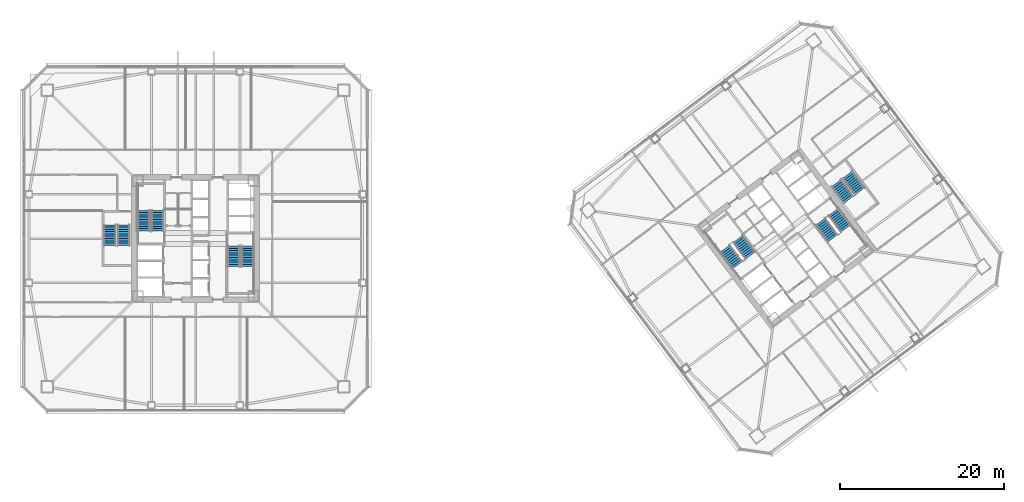
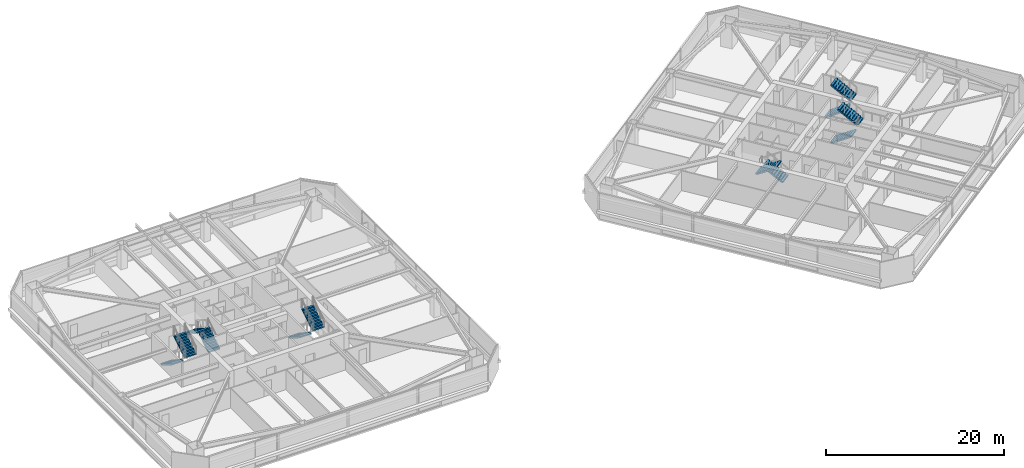
# One storey, part 37 of 44: 12 stair flights, 6 elements without a shape of their own.
"""IFC4 building model written with IfcOpenShell, lengths in metres."""

from ifc_helpers import new_model, si_unit, direction, frame, origin, place, context, subcontext, project, spatial, polyline, outline, extrude, material, type_object, element, aggregate, save


model = new_model("IFC4")

# Units and contexts
model_context = context("Model", 3, precision=1e-05, world=origin(), true_north=direction((0.0, 1.0)))
body_context = subcontext(model_context, "Body", "Model", "MODEL_VIEW")
ifc_project = project(units=[si_unit("LENGTHUNIT", "METRE"), si_unit("AREAUNIT", "SQUARE_METRE"), si_unit("VOLUMEUNIT", "CUBIC_METRE"), si_unit("PLANEANGLEUNIT", "RADIAN"), si_unit("MASSUNIT", "GRAM", prefix="KILO")], contexts=[model_context])

# Site, building, storey
site_placement = place(None, origin())
site = spatial("IfcSite", under=ifc_project, at=site_placement, CompositionType="ELEMENT")
building_placement = place(site_placement, origin())
building = spatial("IfcBuilding", under=site, at=building_placement, Name="Tashvorn Skyway Center", CompositionType="ELEMENT")
storey_placement = place(building_placement, frame((0.0, 0.0, 74.300048828125)))
storey = spatial("IfcBuildingStorey", under=building, at=storey_placement, Name="L19", CompositionType="ELEMENT", Elevation=74.300048828125)

# Stair, stair flights
ifc_material = material(Name="Concrete C40/50", Category="concrete")
stair_type = type_object("IfcStairType", Name="STAIR-CORE-1500", PredefinedType="HALF_TURN_STAIR", material=ifc_material)
stair_1_placement = place(storey_placement, origin())
stair_1 = element("IfcStair", 1, at=stair_1_placement, inside=storey, type_object=stair_type, Name="L19 Tower 1 Exit Stair 1", PredefinedType="HALF_TURN_STAIR")
stair_flight_type = type_object("IfcStairFlightType", Name="SFLIGHT-1500", PredefinedType="STRAIGHT", material=ifc_material)
stair_flight_1_placement = place(storey_placement, frame((37.35009765625, 32.919921875, 0.0), z_axis=(0.0, 0.0, 1.0), x_axis=(0.0, 1.0, 0.0)))
stair_flight_1 = element("IfcStairFlight", 2, at=stair_flight_1_placement, type_object=stair_flight_type, Name="ST-T1-1 flight 1", NumberOfRisers=10, NumberOfTreads=9, PredefinedType="STRAIGHT", RiserHeight=0.1775, TreadLength=0.28, context=body_context, shape_type="SweptSolid", body=[
    extrude(outline(polyline([(0.0, 0.0), (0.0, 0.177490234375), (0.280029296875, 0.177490234375), (0.280029296875, 0.35498046875), (0.56005859375, 0.35498046875), (0.56005859375, 0.532470703125), (0.840087890625, 0.532470703125), (0.840087890625, 0.7099609375), (1.1201171875, 0.7099609375), (1.1201171875, 0.887451171875), (1.39990234375, 0.887451171875), (1.39990234375, 1.06494140625), (1.679931640625, 1.06494140625), (1.679931640625, 1.242431640625), (1.9599609375, 1.242431640625), (1.9599609375, 1.419921875), (2.239990234375, 1.419921875), (2.239990234375, 1.597412109375), (2.52001953125, 1.597412109375), (2.52001953125, 1.77490234375), (2.52001953125, 1.419921875), (0.280029296875, 0.0), (0.0, 0.0)])), frame((0.0, 0.75, 0.0), z_axis=(0.0, -1.0, 0.0), x_axis=(1.0, 0.0, 0.0)), (0.0, 0.0, 1.0), 1.5),
])
stair_flight_2_placement = place(storey_placement, frame((35.64990234375, 35.43994140625, 1.77490234375), z_axis=(0.0, 0.0, 1.0), x_axis=(0.0, -1.0, 0.0)))
stair_flight_2 = element("IfcStairFlight", 3, at=stair_flight_2_placement, type_object=stair_flight_type, Name="ST-T1-1 flight 2", NumberOfRisers=10, NumberOfTreads=9, PredefinedType="STRAIGHT", RiserHeight=0.1775, TreadLength=0.28, context=body_context, shape_type="SweptSolid", body=[
    extrude(outline(polyline([(0.0, 0.0), (0.0, 0.177490234375), (0.280029296875, 0.177490234375), (0.280029296875, 0.35498046875), (0.56005859375, 0.35498046875), (0.56005859375, 0.532470703125), (0.840087890625, 0.532470703125), (0.840087890625, 0.7099609375), (1.1201171875, 0.7099609375), (1.1201171875, 0.887451171875), (1.39990234375, 0.887451171875), (1.39990234375, 1.06494140625), (1.679931640625, 1.06494140625), (1.679931640625, 1.242431640625), (1.9599609375, 1.242431640625), (1.9599609375, 1.419921875), (2.239990234375, 1.419921875), (2.239990234375, 1.597412109375), (2.52001953125, 1.597412109375), (2.52001953125, 1.77490234375), (2.52001953125, 1.419921875), (0.280029296875, 0.0), (0.0, 0.0)])), frame((0.0, 0.75, 0.0), z_axis=(0.0, -1.0, 0.0), x_axis=(1.0, 0.0, 0.0)), (0.0, 0.0, 1.0), 1.5),
])
aggregate(stair_1, [stair_flight_1, stair_flight_2])

stair_2_placement = place(storey_placement, origin())
stair_2 = element("IfcStair", 4, at=stair_2_placement, inside=storey, type_object=stair_type, Name="L19 Tower 1 Exit Stair 2", PredefinedType="HALF_TURN_STAIR")
stair_flight_3_placement = place(storey_placement, frame((46.64990234375, 31.080078125, 0.0), z_axis=(0.0, 0.0, 1.0), x_axis=(0.0, -1.0, 0.0)))
stair_flight_3 = element("IfcStairFlight", 5, at=stair_flight_3_placement, type_object=stair_flight_type, Name="ST-T1-2 flight 1", NumberOfRisers=10, NumberOfTreads=9, PredefinedType="STRAIGHT", RiserHeight=0.1775, TreadLength=0.28, context=body_context, shape_type="SweptSolid", body=[
    extrude(outline(polyline([(0.0, 0.0), (0.0, 0.177490234375), (0.280029296875, 0.177490234375), (0.280029296875, 0.35498046875), (0.56005859375, 0.35498046875), (0.56005859375, 0.532470703125), (0.840087890625, 0.532470703125), (0.840087890625, 0.7099609375), (1.1201171875, 0.7099609375), (1.1201171875, 0.887451171875), (1.39990234375, 0.887451171875), (1.39990234375, 1.06494140625), (1.679931640625, 1.06494140625), (1.679931640625, 1.242431640625), (1.9599609375, 1.242431640625), (1.9599609375, 1.419921875), (2.239990234375, 1.419921875), (2.239990234375, 1.597412109375), (2.52001953125, 1.597412109375), (2.52001953125, 1.77490234375), (2.52001953125, 1.419921875), (0.280029296875, 0.0), (0.0, 0.0)])), frame((0.0, 0.75, 0.0), z_axis=(0.0, -1.0, 0.0), x_axis=(1.0, 0.0, 0.0)), (0.0, 0.0, 1.0), 1.5),
])
stair_flight_4_placement = place(storey_placement, frame((48.35009765625, 28.56005859375, 1.77490234375), z_axis=(0.0, 0.0, 1.0), x_axis=(0.0, 1.0, 0.0)))
stair_flight_4 = element("IfcStairFlight", 6, at=stair_flight_4_placement, type_object=stair_flight_type, Name="ST-T1-2 flight 2", NumberOfRisers=10, NumberOfTreads=9, PredefinedType="STRAIGHT", RiserHeight=0.1775, TreadLength=0.28, context=body_context, shape_type="SweptSolid", body=[
    extrude(outline(polyline([(0.0, 0.0), (0.0, 0.177490234375), (0.280029296875, 0.177490234375), (0.280029296875, 0.35498046875), (0.56005859375, 0.35498046875), (0.56005859375, 0.532470703125), (0.840087890625, 0.532470703125), (0.840087890625, 0.7099609375), (1.1201171875, 0.7099609375), (1.1201171875, 0.887451171875), (1.39990234375, 0.887451171875), (1.39990234375, 1.06494140625), (1.679931640625, 1.06494140625), (1.679931640625, 1.242431640625), (1.9599609375, 1.242431640625), (1.9599609375, 1.419921875), (2.239990234375, 1.419921875), (2.239990234375, 1.597412109375), (2.52001953125, 1.597412109375), (2.52001953125, 1.77490234375), (2.52001953125, 1.419921875), (0.280029296875, 0.0), (0.0, 0.0)])), frame((0.0, 0.75, 0.0), z_axis=(0.0, -1.0, 0.0), x_axis=(1.0, 0.0, 0.0)), (0.0, 0.0, 1.0), 1.5),
])
aggregate(stair_2, [stair_flight_3, stair_flight_4])

stair_3_placement = place(storey_placement, origin())
stair_3 = element("IfcStair", 7, at=stair_3_placement, inside=storey, type_object=stair_type, Name="L19 Tower 2 Exit Stair 1", PredefinedType="HALF_TURN_STAIR")
stair_flight_5_placement = place(storey_placement, frame((109.72802734375, 29.946044921875, 0.0), z_axis=(0.0, 0.0, 1.0), x_axis=(-0.600000004945, 0.799999996291, 0.0)))
stair_flight_5 = element("IfcStairFlight", 8, at=stair_flight_5_placement, type_object=stair_flight_type, Name="ST-T2-1 flight 1", NumberOfRisers=10, NumberOfTreads=9, PredefinedType="STRAIGHT", RiserHeight=0.1775, TreadLength=0.28, context=body_context, shape_type="SweptSolid", body=[
    extrude(outline(polyline([(0.0, 0.0), (0.0, 0.177490234375), (0.280029296875, 0.177490234375), (0.280029296875, 0.35498046875), (0.56005859375, 0.35498046875), (0.56005859375, 0.532470703125), (0.840087890625, 0.532470703125), (0.840087890625, 0.7099609375), (1.1201171875, 0.7099609375), (1.1201171875, 0.887451171875), (1.39990234375, 0.887451171875), (1.39990234375, 1.06494140625), (1.679931640625, 1.06494140625), (1.679931640625, 1.242431640625), (1.9599609375, 1.242431640625), (1.9599609375, 1.419921875), (2.239990234375, 1.419921875), (2.239990234375, 1.597412109375), (2.52001953125, 1.597412109375), (2.52001953125, 1.77490234375), (2.52001953125, 1.419921875), (0.280029296875, 0.0), (0.0, 0.0)])), frame((0.0, 0.75, 0.0), z_axis=(0.0, -1.0, 0.0), x_axis=(1.0, 0.0, 0.0)), (0.0, 0.0, 1.0), 1.5),
])
stair_flight_6_placement = place(storey_placement, frame((106.632080078125, 30.77392578125, 1.77490234375), z_axis=(0.0, 0.0, 1.0), x_axis=(0.600000004945, -0.799999996291, 0.0)))
stair_flight_6 = element("IfcStairFlight", 9, at=stair_flight_6_placement, type_object=stair_flight_type, Name="ST-T2-1 flight 2", NumberOfRisers=10, NumberOfTreads=9, PredefinedType="STRAIGHT", RiserHeight=0.1775, TreadLength=0.28, context=body_context, shape_type="SweptSolid", body=[
    extrude(outline(polyline([(0.0, 0.0), (0.0, 0.177490234375), (0.280029296875, 0.177490234375), (0.280029296875, 0.35498046875), (0.56005859375, 0.35498046875), (0.56005859375, 0.532470703125), (0.840087890625, 0.532470703125), (0.840087890625, 0.7099609375), (1.1201171875, 0.7099609375), (1.1201171875, 0.887451171875), (1.39990234375, 0.887451171875), (1.39990234375, 1.06494140625), (1.679931640625, 1.06494140625), (1.679931640625, 1.242431640625), (1.9599609375, 1.242431640625), (1.9599609375, 1.419921875), (2.239990234375, 1.419921875), (2.239990234375, 1.597412109375), (2.52001953125, 1.597412109375), (2.52001953125, 1.77490234375), (2.52001953125, 1.419921875), (0.280029296875, 0.0), (0.0, 0.0)])), frame((0.0, 0.75, 0.0), z_axis=(0.0, -1.0, 0.0), x_axis=(1.0, 0.0, 0.0)), (0.0, 0.0, 1.0), 1.5),
])
aggregate(stair_3, [stair_flight_5, stair_flight_6])

stair_4_placement = place(storey_placement, origin())
stair_4 = element("IfcStair", 10, at=stair_4_placement, inside=storey, type_object=stair_type, Name="L19 Tower 2 Exit Stair 2", PredefinedType="HALF_TURN_STAIR")
stair_flight_7_placement = place(storey_placement, frame((118.27197265625, 34.053955078125, 0.0), z_axis=(0.0, 0.0, 1.0), x_axis=(0.600000004945, -0.799999996291, 0.0)))
stair_flight_7 = element("IfcStairFlight", 11, at=stair_flight_7_placement, type_object=stair_flight_type, Name="ST-T2-2 flight 1", NumberOfRisers=10, NumberOfTreads=9, PredefinedType="STRAIGHT", RiserHeight=0.1775, TreadLength=0.28, context=body_context, shape_type="SweptSolid", body=[
    extrude(outline(polyline([(0.0, 0.0), (0.0, 0.177490234375), (0.280029296875, 0.177490234375), (0.280029296875, 0.35498046875), (0.56005859375, 0.35498046875), (0.56005859375, 0.532470703125), (0.840087890625, 0.532470703125), (0.840087890625, 0.7099609375), (1.1201171875, 0.7099609375), (1.1201171875, 0.887451171875), (1.39990234375, 0.887451171875), (1.39990234375, 1.06494140625), (1.679931640625, 1.06494140625), (1.679931640625, 1.242431640625), (1.9599609375, 1.242431640625), (1.9599609375, 1.419921875), (2.239990234375, 1.419921875), (2.239990234375, 1.597412109375), (2.52001953125, 1.597412109375), (2.52001953125, 1.77490234375), (2.52001953125, 1.419921875), (0.280029296875, 0.0), (0.0, 0.0)])), frame((0.0, 0.75, 0.0), z_axis=(0.0, -1.0, 0.0), x_axis=(1.0, 0.0, 0.0)), (0.0, 0.0, 1.0), 1.5),
])
stair_flight_8_placement = place(storey_placement, frame((121.367919921875, 33.22607421875, 1.77490234375), z_axis=(0.0, 0.0, 1.0), x_axis=(-0.600000004945, 0.799999996291, 0.0)))
stair_flight_8 = element("IfcStairFlight", 12, at=stair_flight_8_placement, type_object=stair_flight_type, Name="ST-T2-2 flight 2", NumberOfRisers=10, NumberOfTreads=9, PredefinedType="STRAIGHT", RiserHeight=0.1775, TreadLength=0.28, context=body_context, shape_type="SweptSolid", body=[
    extrude(outline(polyline([(0.0, 0.0), (0.0, 0.177490234375), (0.280029296875, 0.177490234375), (0.280029296875, 0.35498046875), (0.56005859375, 0.35498046875), (0.56005859375, 0.532470703125), (0.840087890625, 0.532470703125), (0.840087890625, 0.7099609375), (1.1201171875, 0.7099609375), (1.1201171875, 0.887451171875), (1.39990234375, 0.887451171875), (1.39990234375, 1.06494140625), (1.679931640625, 1.06494140625), (1.679931640625, 1.242431640625), (1.9599609375, 1.242431640625), (1.9599609375, 1.419921875), (2.239990234375, 1.419921875), (2.239990234375, 1.597412109375), (2.52001953125, 1.597412109375), (2.52001953125, 1.77490234375), (2.52001953125, 1.419921875), (0.280029296875, 0.0), (0.0, 0.0)])), frame((0.0, 0.75, 0.0), z_axis=(0.0, -1.0, 0.0), x_axis=(1.0, 0.0, 0.0)), (0.0, 0.0, 1.0), 1.5),
])
aggregate(stair_4, [stair_flight_7, stair_flight_8])

stair_5_placement = place(storey_placement, origin())
stair_5 = element("IfcStair", 13, at=stair_5_placement, inside=storey, type_object=stair_type, Name="L19 Tower 1 Exit Stair 3", PredefinedType="HALF_TURN_STAIR")
stair_flight_9_placement = place(storey_placement, frame((31.550048828125, 33.679931640625, 0.0), z_axis=(0.0, 0.0, 1.0), x_axis=(0.0, -1.0, 0.0)))
stair_flight_9 = element("IfcStairFlight", 14, at=stair_flight_9_placement, type_object=stair_flight_type, Name="ST-T1-3 flight 1", NumberOfRisers=10, NumberOfTreads=9, PredefinedType="STRAIGHT", RiserHeight=0.1775, TreadLength=0.28, context=body_context, shape_type="SweptSolid", body=[
    extrude(outline(polyline([(0.0, 0.0), (0.0, 0.177490234375), (0.280029296875, 0.177490234375), (0.280029296875, 0.35498046875), (0.56005859375, 0.35498046875), (0.56005859375, 0.532470703125), (0.840087890625, 0.532470703125), (0.840087890625, 0.7099609375), (1.1201171875, 0.7099609375), (1.1201171875, 0.887451171875), (1.39990234375, 0.887451171875), (1.39990234375, 1.06494140625), (1.679931640625, 1.06494140625), (1.679931640625, 1.242431640625), (1.9599609375, 1.242431640625), (1.9599609375, 1.419921875), (2.239990234375, 1.419921875), (2.239990234375, 1.597412109375), (2.52001953125, 1.597412109375), (2.52001953125, 1.77490234375), (2.52001953125, 1.419921875), (0.280029296875, 0.0), (0.0, 0.0)])), frame((0.0, 0.75, 0.0), z_axis=(0.0, -1.0, 0.0), x_axis=(1.0, 0.0, 0.0)), (0.0, 0.0, 1.0), 1.5),
])
stair_flight_10_placement = place(storey_placement, frame((33.25, 31.159912109375, 1.77490234375), z_axis=(0.0, 0.0, 1.0), x_axis=(0.0, 1.0, 0.0)))
stair_flight_10 = element("IfcStairFlight", 15, at=stair_flight_10_placement, type_object=stair_flight_type, Name="ST-T1-3 flight 2", NumberOfRisers=10, NumberOfTreads=9, PredefinedType="STRAIGHT", RiserHeight=0.1775, TreadLength=0.28, context=body_context, shape_type="SweptSolid", body=[
    extrude(outline(polyline([(0.0, 0.0), (0.0, 0.177490234375), (0.280029296875, 0.177490234375), (0.280029296875, 0.35498046875), (0.56005859375, 0.35498046875), (0.56005859375, 0.532470703125), (0.840087890625, 0.532470703125), (0.840087890625, 0.7099609375), (1.1201171875, 0.7099609375), (1.1201171875, 0.887451171875), (1.39990234375, 0.887451171875), (1.39990234375, 1.06494140625), (1.679931640625, 1.06494140625), (1.679931640625, 1.242431640625), (1.9599609375, 1.242431640625), (1.9599609375, 1.419921875), (2.239990234375, 1.419921875), (2.239990234375, 1.597412109375), (2.52001953125, 1.597412109375), (2.52001953125, 1.77490234375), (2.52001953125, 1.419921875), (0.280029296875, 0.0), (0.0, 0.0)])), frame((0.0, 0.75, 0.0), z_axis=(0.0, -1.0, 0.0), x_axis=(1.0, 0.0, 0.0)), (0.0, 0.0, 1.0), 1.5),
])
aggregate(stair_5, [stair_flight_9, stair_flight_10])

stair_6_placement = place(storey_placement, origin())
stair_6 = element("IfcStair", 16, at=stair_6_placement, inside=storey, type_object=stair_type, Name="L19 Tower 2 Exit Stair 3", PredefinedType="HALF_TURN_STAIR")
stair_flight_11_placement = place(storey_placement, frame((120.216064453125, 38.761962890625, 0.0), z_axis=(0.0, 0.0, 1.0), x_axis=(0.600000004945, -0.799999996291, 0.0)))
stair_flight_11 = element("IfcStairFlight", 17, at=stair_flight_11_placement, type_object=stair_flight_type, Name="ST-T2-3 flight 1", NumberOfRisers=10, NumberOfTreads=9, PredefinedType="STRAIGHT", RiserHeight=0.1775, TreadLength=0.28, context=body_context, shape_type="SweptSolid", body=[
    extrude(outline(polyline([(0.0, 0.0), (0.0, 0.177490234375), (0.280029296875, 0.177490234375), (0.280029296875, 0.35498046875), (0.56005859375, 0.35498046875), (0.56005859375, 0.532470703125), (0.840087890625, 0.532470703125), (0.840087890625, 0.7099609375), (1.1201171875, 0.7099609375), (1.1201171875, 0.887451171875), (1.39990234375, 0.887451171875), (1.39990234375, 1.06494140625), (1.679931640625, 1.06494140625), (1.679931640625, 1.242431640625), (1.9599609375, 1.242431640625), (1.9599609375, 1.419921875), (2.239990234375, 1.419921875), (2.239990234375, 1.597412109375), (2.52001953125, 1.597412109375), (2.52001953125, 1.77490234375), (2.52001953125, 1.419921875), (0.280029296875, 0.0), (0.0, 0.0)])), frame((0.0, 0.75, 0.0), z_axis=(0.0, -1.0, 0.0), x_axis=(1.0, 0.0, 0.0)), (0.0, 0.0, 1.0), 1.5),
])
stair_flight_12_placement = place(storey_placement, frame((123.087890625, 37.76611328125, 1.77490234375), z_axis=(0.0, 0.0, 1.0), x_axis=(-0.600000004945, 0.799999996291, 0.0)))
stair_flight_12 = element("IfcStairFlight", 18, at=stair_flight_12_placement, type_object=stair_flight_type, Name="ST-T2-3 flight 2", NumberOfRisers=10, NumberOfTreads=9, PredefinedType="STRAIGHT", RiserHeight=0.1775, TreadLength=0.28, context=body_context, shape_type="SweptSolid", body=[
    extrude(outline(polyline([(0.0, 0.0), (0.0, 0.177490234375), (0.280029296875, 0.177490234375), (0.280029296875, 0.35498046875), (0.56005859375, 0.35498046875), (0.56005859375, 0.532470703125), (0.840087890625, 0.532470703125), (0.840087890625, 0.7099609375), (1.1201171875, 0.7099609375), (1.1201171875, 0.887451171875), (1.39990234375, 0.887451171875), (1.39990234375, 1.06494140625), (1.679931640625, 1.06494140625), (1.679931640625, 1.242431640625), (1.9599609375, 1.242431640625), (1.9599609375, 1.419921875), (2.239990234375, 1.419921875), (2.239990234375, 1.597412109375), (2.52001953125, 1.597412109375), (2.52001953125, 1.77490234375), (2.52001953125, 1.419921875), (0.280029296875, 0.0), (0.0, 0.0)])), frame((0.0, 0.75, 0.0), z_axis=(0.0, -1.0, 0.0), x_axis=(1.0, 0.0, 0.0)), (0.0, 0.0, 1.0), 1.5),
])
aggregate(stair_6, [stair_flight_11, stair_flight_12])

save(model, "model.ifc")
